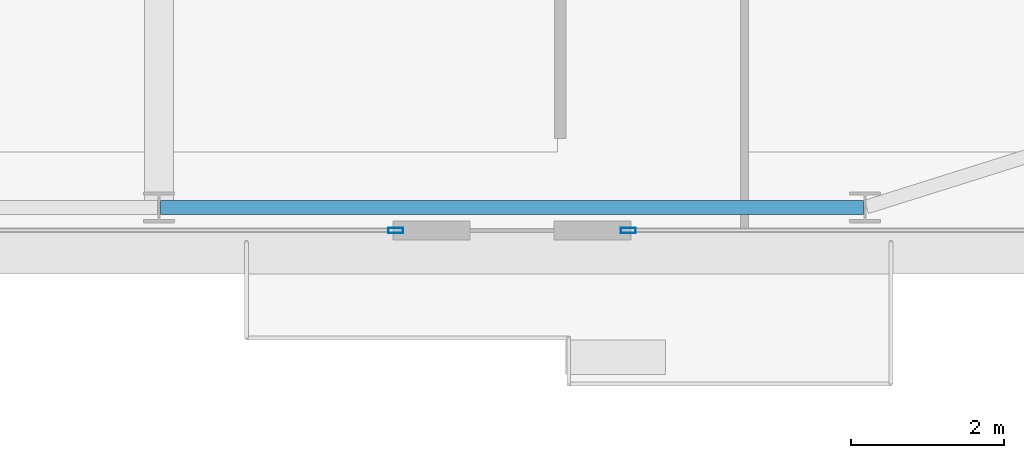
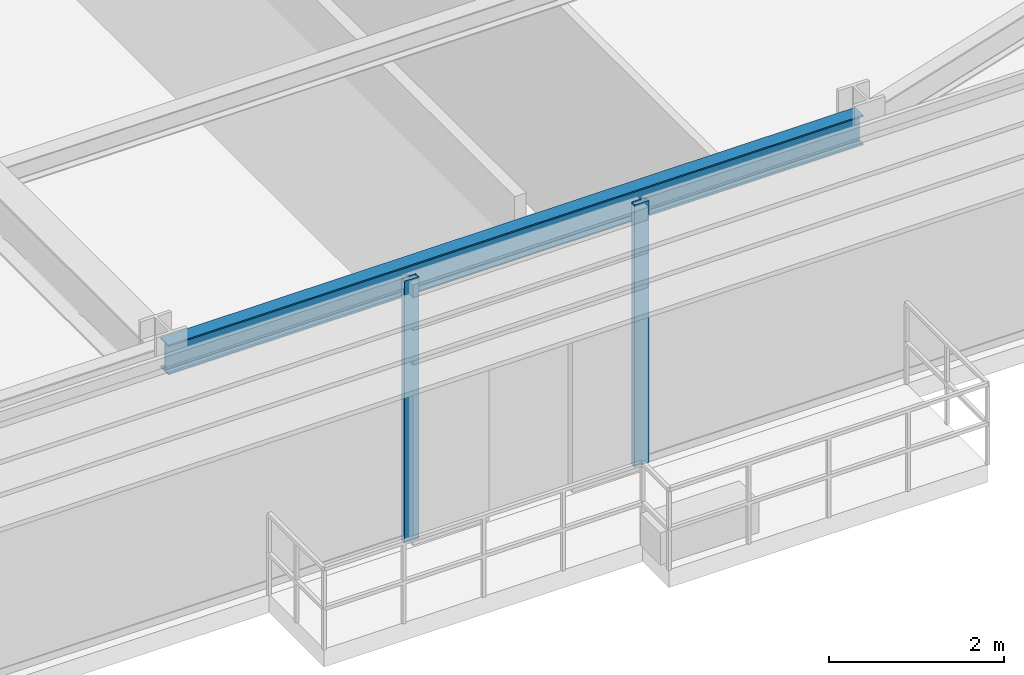
# One storey, part 12 of 31: 2 members, 1 beam, 2 elements without a shape of their own.
"""IFC4 building model written with IfcOpenShell, lengths in metres."""

from ifc_helpers import new_model, si_unit, direction, frame, origin, origin_2d, place, context, subcontext, project, spatial, hollow_rectangle, i_section, extrude, source, transform, mapped, material, layer, layer_set, material_profile, profile_set, type_object, type_shapes, element, aggregate, save


model = new_model("IFC4")

# Units and contexts
model_context = context("Model", 3, precision=1e-05, world=origin(), true_north=direction((0.0, 1.0)))
body_context = subcontext(model_context, "Body", "Model", "MODEL_VIEW")
ifc_project = project(units=[si_unit("LENGTHUNIT", "METRE"), si_unit("AREAUNIT", "SQUARE_METRE"), si_unit("VOLUMEUNIT", "CUBIC_METRE"), si_unit("PLANEANGLEUNIT", "RADIAN"), si_unit("MASSUNIT", "GRAM", prefix="KILO")], contexts=[model_context])

# Site, building, storey
site_placement = place(None, origin())
site = spatial("IfcSite", under=ifc_project, at=site_placement, CompositionType="ELEMENT")
building_placement = place(site_placement, origin())
building = spatial("IfcBuilding", under=site, at=building_placement, Name="Varnel Quay Broadcast Tower", CompositionType="ELEMENT")
storey_placement = place(building_placement, frame((0.0, 0.0, 35.39990234375)))
storey = spatial("IfcBuildingStorey", under=building, at=storey_placement, Name="L07", CompositionType="ELEMENT", Elevation=35.39990234375)

# Beam
ifc_material_1 = material(Name="Structural Steel CSA G40.21 350W", Category="steel")
ifc_material_profile_1 = material_profile(ifc_material_1, i_section(OverallWidth=0.180908203125, OverallDepth=0.4169921875, WebThickness=0.010986328125, FlangeThickness=0.018310546875, FilletRadius=0.011962890625, at=origin_2d()), Name="W410X85")
ifc_profile_set_1 = profile_set([ifc_material_profile_1], Name="Structural Steel CSA G40.21 350W")
beam_type = type_object("IfcBeamType", Name="Beam_W410X85", PredefinedType="SPANDREL", material=ifc_profile_set_1)
shared_shape_1 = source(origin(), body_context, "Body", "SweptSolid", [
    extrude(i_section(OverallWidth=0.180908203125, OverallDepth=0.4169921875, WebThickness=0.010986328125, FlangeThickness=0.018310546875, FilletRadius=0.011962890625, at=origin_2d()), origin(), (0.0, 0.0, 1.0), 9.159912109375),
])
type_shapes(beam_type, [shared_shape_1])
beam_placement = place(storey_placement, frame((43.219970703125, 1.64990234375, 3.441650390625), z_axis=(1.0, 0.0, 0.0), x_axis=(0.0, 1.0, 0.0)))
element("IfcBeam", 1, at=beam_placement, inside=storey, type_object=beam_type, Name="L07 South Spandrel TC-S4-TC-S5", PredefinedType="SPANDREL", context=body_context, shape_type="MappedRepresentation", body=[
    mapped(shared_shape_1, transform((0.0, 0.0, 0.0), x_axis=(1.0, 0.0, 0.0), y_axis=(0.0, 1.0, 0.0), z_axis=(0.0, 0.0, 1.0), scale=1.0)),
])

# Curtain wall, member
ifc_material_2 = material(Name="Anodised Bronze Aluminium 6063-T6", Category="aluminium")
ifc_layer = layer(ifc_material_2, 0.18994140625, Name="Anodised Bronze Aluminium 6063-T6")
ifc_layer_set = layer_set([ifc_layer], Name="Anodised Bronze Aluminium 6063-T6")
curtain_wall_type = type_object("IfcCurtainWallType", Name="CW_LowerTower", PredefinedType="NOTDEFINED", material=ifc_layer_set)
curtain_wall_1_placement = place(storey_placement, origin())
curtain_wall_1 = element("IfcCurtainWall", 2, at=curtain_wall_1_placement, inside=storey, type_object=curtain_wall_type, Name="L07 South Unitised Curtain Wall 2", PredefinedType="NOTDEFINED")
ifc_material_profile_2 = material_profile(ifc_material_2, hollow_rectangle(XDim=0.070068359375, YDim=0.18994140625, WallThickness=0.00390625, at=origin_2d()), Name="ALU70X190X4")
ifc_profile_set_2 = profile_set([ifc_material_profile_2], Name="Anodised Bronze Aluminium 6063-T6")
member_type = type_object("IfcMemberType", Name="Mull_CWS-02", PredefinedType="MULLION", material=ifc_profile_set_2)
shared_shape_2 = source(origin(), body_context, "Body", "SweptSolid", [
    extrude(hollow_rectangle(XDim=0.070068359375, YDim=0.18994140625, WallThickness=0.00390625, at=origin_2d()), origin(), (0.0, 0.0, 1.0), 3.650146484375),
])
type_shapes(member_type, [shared_shape_2])
member_1_placement = place(storey_placement, frame((46.284912109375, 1.35009765625, 0.0), z_axis=(0.0, 0.0, 1.0), x_axis=(0.0, 1.0, 0.0)))
member_1 = element("IfcMember", 3, at=member_1_placement, type_object=member_type, Name="CWS-02 mullion 3", PredefinedType="MULLION", context=body_context, shape_type="MappedRepresentation", body=[
    mapped(shared_shape_2, transform((0.0, 0.0, 0.0), x_axis=(1.0, 0.0, 0.0), y_axis=(0.0, 1.0, 0.0), z_axis=(0.0, 0.0, 1.0), scale=1.0)),
])
aggregate(curtain_wall_1, [member_1])

curtain_wall_2_placement = place(storey_placement, origin())
curtain_wall_2 = element("IfcCurtainWall", 4, at=curtain_wall_2_placement, inside=storey, type_object=curtain_wall_type, Name="L07 South Unitised Curtain Wall 3", PredefinedType="NOTDEFINED")
member_2_placement = place(storey_placement, frame((49.31494140625, 1.35009765625, 0.0), z_axis=(0.0, 0.0, 1.0), x_axis=(0.0, 1.0, 0.0)))
member_2 = element("IfcMember", 5, at=member_2_placement, type_object=member_type, Name="CWS-02 mullion 1", PredefinedType="MULLION", context=body_context, shape_type="MappedRepresentation", body=[
    mapped(shared_shape_2, transform((0.0, 0.0, 0.0), x_axis=(1.0, 0.0, 0.0), y_axis=(0.0, 1.0, 0.0), z_axis=(0.0, 0.0, 1.0), scale=1.0)),
])
aggregate(curtain_wall_2, [member_2])

save(model, "model.ifc")
